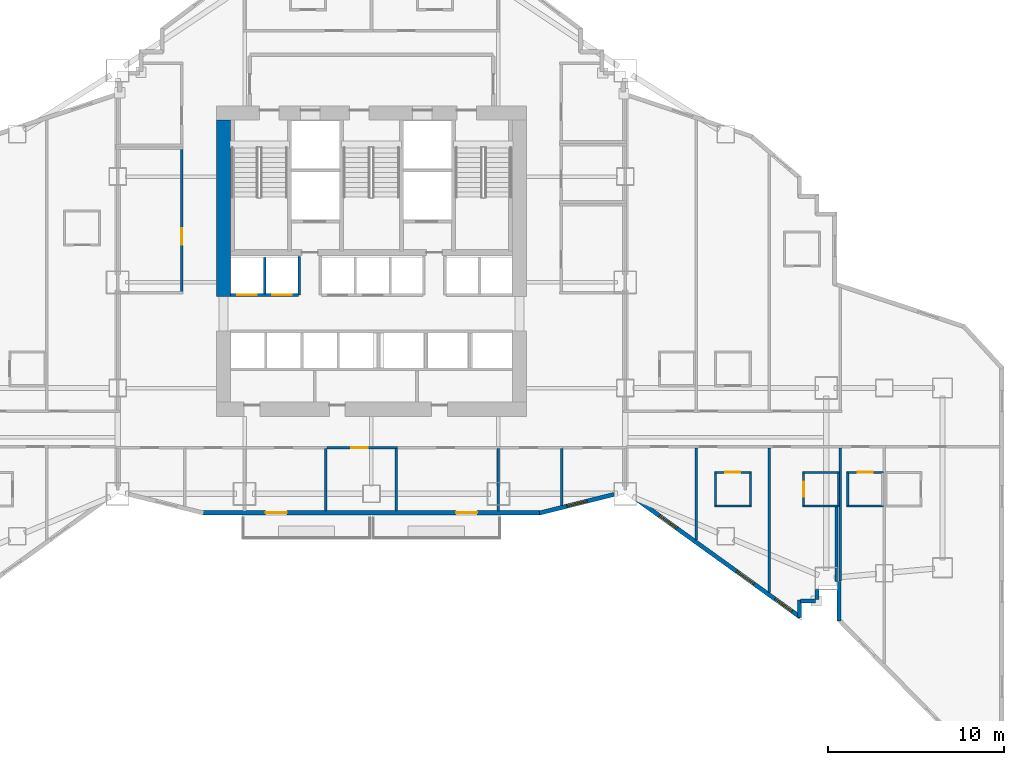
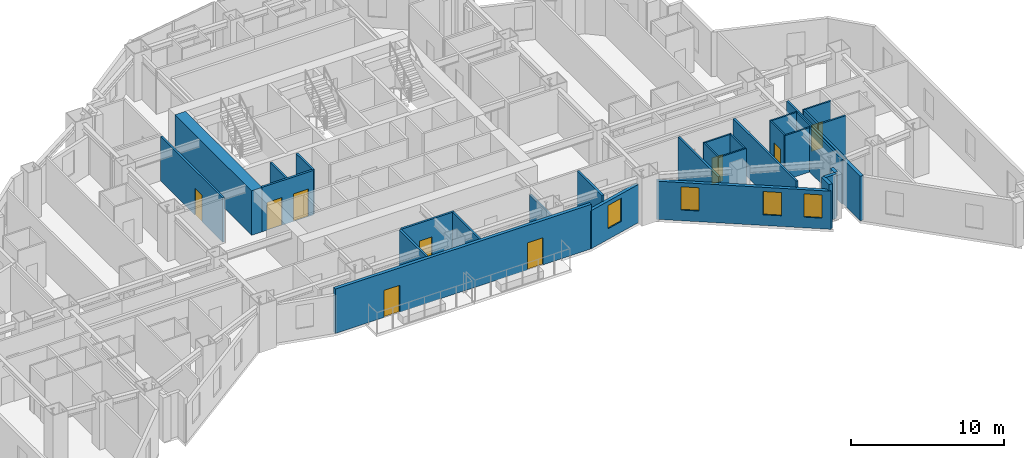
# One storey, part 9 of 19: 32 walls, 9 doors, 4 windows, 13 openings.
"""IFC4 building model written with IfcOpenShell, lengths in metres."""

from ifc_helpers import new_model, si_unit, direction, frame, frame_2d, origin, place, context, subcontext, project, spatial, rectangle, extrude, material, layer, layer_set, type_object, element, fill, save


model = new_model("IFC4")

# Units and contexts
model_context = context("Model", 3, precision=1e-05, world=origin(), true_north=direction((0.0, 1.0)))
body_context = subcontext(model_context, "Body", "Model", "MODEL_VIEW")
ifc_project = project(units=[si_unit("LENGTHUNIT", "METRE"), si_unit("AREAUNIT", "SQUARE_METRE"), si_unit("VOLUMEUNIT", "CUBIC_METRE"), si_unit("PLANEANGLEUNIT", "RADIAN"), si_unit("MASSUNIT", "GRAM", prefix="KILO")], contexts=[model_context])

# Site, building, storey
site_placement = place(None, origin())
site = spatial("IfcSite", under=ifc_project, at=site_placement, CompositionType="ELEMENT")
building_placement = place(site_placement, origin())
building = spatial("IfcBuilding", under=site, at=building_placement, Name="Haolan Belvedere Tower", CompositionType="ELEMENT")
storey_placement = place(building_placement, frame((0.0, 0.0, 39.199951171875)))
storey = spatial("IfcBuildingStorey", under=building, at=storey_placement, Name="L09", CompositionType="ELEMENT", Elevation=39.199951171875)

# Wall
ifc_material_1 = material(Name="Concrete C70/85", Category="concrete")
ifc_layer_1 = layer(ifc_material_1, 0.800048828125, Name="Concrete C70/85")
ifc_layer_set_1 = layer_set([ifc_layer_1], Name="Concrete C70/85")
wall_type_1 = type_object("IfcWallType", Name="WL-CORE-800", PredefinedType="SHEAR", material=ifc_layer_set_1)
wall_1_placement = place(storey_placement, frame((30.0, 32.800048828125, 0.0), z_axis=(0.0, 0.0, 1.0), x_axis=(0.0, 1.0, 0.0)))
element("IfcWall", 1, at=wall_1_placement, inside=storey, type_object=wall_type_1, Name="L09 central core shear wall WN", PredefinedType="SHEAR", context=body_context, shape_type="SweptSolid", body=[
    extrude(rectangle(XDim=10.0, YDim=0.800048828125, at=frame_2d((5.0, 0.0))), origin(), (0.0, 0.0, 1.0), 3.5400390625),
])

# Wall, openings, doors
ifc_material_2 = material(Name="Precast concrete C40/50", Category="concrete")
ifc_layer_2 = layer(ifc_material_2, 0.239990234375, Name="Precast concrete C40/50")
ifc_layer_set_2 = layer_set([ifc_layer_2], Name="Precast concrete C40/50")
wall_type_2 = type_object("IfcWallType", Name="WL-EXT-240", PredefinedType="SOLIDWALL", material=ifc_layer_set_2)
wall_2_placement = place(storey_placement, frame((28.759765625, 20.52001953125, 0.0), z_axis=(0.0, 0.0, 1.0), x_axis=(1.0, 0.0, 0.0)))
wall_2 = element("IfcWall", 2, at=wall_2_placement, inside=storey, type_object=wall_type_2, Name="L09 pale-metal exterior spandrel wall 13.1", PredefinedType="SOLIDWALL", context=body_context, shape_type="SweptSolid", body=[
    extrude(rectangle(XDim=19.280517578125, YDim=0.239990234375, at=frame_2d((9.64013671875, 0.0))), origin(), (0.0, 0.0, 1.0), 3.5400390625),
])
opening_1_placement = place(wall_2_placement, frame((4.840087890625, 0.0, 0.0), z_axis=(0.0, 0.0, 1.0), x_axis=(-1.0, 0.0, 0.0)))
opening_1 = element("IfcOpeningElement", 3, at=opening_1_placement, cuts=wall_2, Name="Opening BD-01", PredefinedType="OPENING", context=body_context, shape_type="SweptSolid", body=[
    extrude(rectangle(XDim=1.199951171875, YDim=2.14990234375, at=frame_2d((0.60009765625, 1.074951171875))), frame((0.0, 0.1298828125, 0.0), z_axis=(0.0, -1.0, 0.0), x_axis=(1.0, 0.0, 0.0)), (0.0, 0.0, 1.0), 0.260009765625),
])
opening_2_placement = place(wall_2_placement, frame((15.64013671875, 0.0, 0.0), z_axis=(0.0, 0.0, 1.0), x_axis=(-1.0, 0.0, 0.0)))
opening_2 = element("IfcOpeningElement", 4, at=opening_2_placement, cuts=wall_2, Name="Opening BD-01", PredefinedType="OPENING", context=body_context, shape_type="SweptSolid", body=[
    extrude(rectangle(XDim=1.199951171875, YDim=2.14990234375, at=frame_2d((0.60009765625, 1.074951171875))), frame((0.0, 0.1298828125, 0.0), z_axis=(0.0, -1.0, 0.0), x_axis=(1.0, 0.0, 0.0)), (0.0, 0.0, 1.0), 0.260009765625),
])
ifc_material_3 = material(Name="Thermally broken pale-metal aluminium and Low-E glass", Category="aluminium")
door_type_1 = type_object("IfcDoorType", Name="DR-BAL-1200", OperationType="NOTDEFINED", PredefinedType="DOOR", material=ifc_material_3)
door_1_placement = place(opening_1_placement, origin())
door_1 = element("IfcDoor", 5, at=door_1_placement, inside=storey, type_object=door_type_1, Name="L09 tree-balcony access door 1", OperationType="SINGLE_SWING_LEFT", OverallHeight=2.14990234375, OverallWidth=1.199951171875, PredefinedType="DOOR", context=body_context, shape_type="SweptSolid", body=[
    extrude(rectangle(XDim=1.199951171875, YDim=2.14990234375, at=frame_2d((0.60009765625, 1.074951171875))), frame((0.0, 0.02490234375, 0.0), z_axis=(0.0, -1.0, 0.0), x_axis=(1.0, 0.0, 0.0)), (0.0, 0.0, 1.0), 0.050048828125),
])
fill(opening_1, door_1)
door_2_placement = place(opening_2_placement, origin())
door_2 = element("IfcDoor", 6, at=door_2_placement, inside=storey, type_object=door_type_1, Name="L09 tree-balcony access door 2", OperationType="SINGLE_SWING_RIGHT", OverallHeight=2.14990234375, OverallWidth=1.199951171875, PredefinedType="DOOR", context=body_context, shape_type="SweptSolid", body=[
    extrude(rectangle(XDim=1.199951171875, YDim=2.14990234375, at=frame_2d((0.60009765625, 1.074951171875))), frame((0.0, 0.02490234375, 0.0), z_axis=(0.0, -1.0, 0.0), x_axis=(1.0, 0.0, 0.0)), (0.0, 0.0, 1.0), 0.050048828125),
])
fill(opening_2, door_2)

# Wall, opening, window
wall_3_placement = place(storey_placement, frame((47.931884765625, 20.506591796875, 0.0), z_axis=(0.0, 0.0, 1.0), x_axis=(0.970135906278, 0.242561998982, 0.0)))
wall_3 = element("IfcWall", 7, at=wall_3_placement, inside=storey, type_object=wall_type_2, Name="L09 pale-metal exterior spandrel wall 14.1", PredefinedType="SOLIDWALL", context=body_context, shape_type="SweptSolid", body=[
    extrude(rectangle(XDim=4.356201171875, YDim=0.239990234375, at=frame_2d((2.17822265625, 0.0))), origin(), (0.0, 0.0, 1.0), 3.037109375),
])
opening_3_placement = place(wall_3_placement, frame((1.60009765625, 0.0, 0.85009765625)))
opening_3 = element("IfcOpeningElement", 8, at=opening_3_placement, cuts=wall_3, Name="Opening W-01", PredefinedType="OPENING", context=body_context, shape_type="SweptSolid", body=[
    extrude(rectangle(XDim=1.199951171875, YDim=1.85009765625, at=frame_2d((0.60009765625, 0.925048828125))), frame((0.0, 0.1298828125, 0.0), z_axis=(0.0, -1.0, 0.0), x_axis=(1.0, 0.0, 0.0)), (0.0, 0.0, 1.0), 0.260009765625),
])
ifc_material_4 = material(Name="Anodised aluminium 6063-T6 and Low-E glass", Category="aluminium")
window_type = type_object("IfcWindowType", Name="WN-DECO-Z1", PartitioningType="SINGLE_PANEL", PredefinedType="WINDOW", material=ifc_material_4)
window_1_placement = place(opening_3_placement, origin())
window_1 = element("IfcWindow", 9, at=window_1_placement, inside=storey, type_object=window_type, Name="L09 Art Deco chevron window 1", OverallHeight=1.85009765625, OverallWidth=1.199951171875, PartitioningType="SINGLE_PANEL", PredefinedType="WINDOW", context=body_context, shape_type="SweptSolid", body=[
    extrude(rectangle(XDim=1.199951171875, YDim=1.85009765625, at=frame_2d((0.60009765625, 0.925048828125))), frame((0.0, 0.030029296875, 0.0), z_axis=(0.0, -1.0, 0.0), x_axis=(1.0, 0.0, 0.0)), (0.0, 0.0, 1.0), 0.06005859375),
])
fill(opening_3, window_1)

# Wall, openings, windows
wall_4_placement = place(storey_placement, frame((53.44189453125, 21.28564453125, 0.0), z_axis=(0.0, 0.0, 1.0), x_axis=(0.811542842993, -0.584292917967, 0.0)))
wall_4 = element("IfcWall", 10, at=wall_4_placement, inside=storey, type_object=wall_type_2, Name="L09 pale-metal exterior spandrel wall 15.1", PredefinedType="SOLIDWALL", context=body_context, shape_type="SweptSolid", body=[
    extrude(rectangle(XDim=11.4384765625, YDim=0.239990234375, at=frame_2d((5.71923828125, 0.0))), origin(), (0.0, 0.0, 1.0), 3.037109375),
])
opening_4_placement = place(wall_4_placement, frame((1.60009765625, 0.0, 0.85009765625)))
opening_4 = element("IfcOpeningElement", 11, at=opening_4_placement, cuts=wall_4, Name="Opening W-01", PredefinedType="OPENING", context=body_context, shape_type="SweptSolid", body=[
    extrude(rectangle(XDim=1.199951171875, YDim=1.85009765625, at=frame_2d((0.60009765625, 0.925048828125))), frame((0.0, 0.1298828125, 0.0), z_axis=(0.0, -1.0, 0.0), x_axis=(1.0, 0.0, 0.0)), (0.0, 0.0, 1.0), 0.260009765625),
])
opening_5_placement = place(wall_4_placement, frame((7.0, 0.0, 0.85009765625)))
opening_5 = element("IfcOpeningElement", 12, at=opening_5_placement, cuts=wall_4, Name="Opening W-01", PredefinedType="OPENING", context=body_context, shape_type="SweptSolid", body=[
    extrude(rectangle(XDim=1.199951171875, YDim=1.85009765625, at=frame_2d((0.60009765625, 0.925048828125))), frame((0.0, 0.1298828125, 0.0), z_axis=(0.0, -1.0, 0.0), x_axis=(1.0, 0.0, 0.0)), (0.0, 0.0, 1.0), 0.260009765625),
])
opening_6_placement = place(wall_4_placement, frame((9.66943359375, 0.0, 0.85009765625)))
opening_6 = element("IfcOpeningElement", 13, at=opening_6_placement, cuts=wall_4, Name="Opening W-01", PredefinedType="OPENING", context=body_context, shape_type="SweptSolid", body=[
    extrude(rectangle(XDim=1.199951171875, YDim=1.85009765625, at=frame_2d((0.60009765625, 0.925048828125))), frame((0.0, 0.1298828125, 0.0), z_axis=(0.0, -1.0, 0.0), x_axis=(1.0, 0.0, 0.0)), (0.0, 0.0, 1.0), 0.260009765625),
])
window_2_placement = place(opening_4_placement, origin())
window_2 = element("IfcWindow", 14, at=window_2_placement, inside=storey, type_object=window_type, Name="L09 Art Deco chevron window 1", OverallHeight=1.85009765625, OverallWidth=1.199951171875, PartitioningType="SINGLE_PANEL", PredefinedType="WINDOW", context=body_context, shape_type="SweptSolid", body=[
    extrude(rectangle(XDim=1.199951171875, YDim=1.85009765625, at=frame_2d((0.60009765625, 0.925048828125))), frame((0.0, 0.030029296875, 0.0), z_axis=(0.0, -1.0, 0.0), x_axis=(1.0, 0.0, 0.0)), (0.0, 0.0, 1.0), 0.06005859375),
])
fill(opening_4, window_2)
window_3_placement = place(opening_5_placement, origin())
window_3 = element("IfcWindow", 15, at=window_3_placement, inside=storey, type_object=window_type, Name="L09 Art Deco chevron window 2", OverallHeight=1.85009765625, OverallWidth=1.199951171875, PartitioningType="SINGLE_PANEL", PredefinedType="WINDOW", context=body_context, shape_type="SweptSolid", body=[
    extrude(rectangle(XDim=1.199951171875, YDim=1.85009765625, at=frame_2d((0.60009765625, 0.925048828125))), frame((0.0, 0.030029296875, 0.0), z_axis=(0.0, -1.0, 0.0), x_axis=(1.0, 0.0, 0.0)), (0.0, 0.0, 1.0), 0.06005859375),
])
fill(opening_5, window_3)
window_4_placement = place(opening_6_placement, origin())
window_4 = element("IfcWindow", 16, at=window_4_placement, inside=storey, type_object=window_type, Name="L09 Art Deco guestroom window 2", OverallHeight=1.85009765625, OverallWidth=1.199951171875, PartitioningType="SINGLE_PANEL", PredefinedType="WINDOW", context=body_context, shape_type="SweptSolid", body=[
    extrude(rectangle(XDim=1.199951171875, YDim=1.85009765625, at=frame_2d((0.60009765625, 0.925048828125))), frame((0.0, 0.030029296875, 0.0), z_axis=(0.0, -1.0, 0.0), x_axis=(1.0, 0.0, 0.0)), (0.0, 0.0, 1.0), 0.06005859375),
])
fill(opening_6, window_4)

# Walls
wall_5_placement = place(storey_placement, frame((62.679931640625, 14.579345703125, 0.0), z_axis=(0.0, 0.0, 1.0), x_axis=(0.0, 1.0, 0.0)))
element("IfcWall", 17, at=wall_5_placement, inside=storey, type_object=wall_type_2, Name="L09 pale-metal exterior spandrel wall 16.1", PredefinedType="SOLIDWALL", context=body_context, shape_type="SweptSolid", body=[
    extrude(rectangle(XDim=0.99560546875, YDim=0.239990234375, at=frame_2d((0.497802734375, 0.0))), origin(), (0.0, 0.0, 1.0), 3.5400390625),
])
wall_6_placement = place(storey_placement, frame((62.7451171875, 15.52001953125, 0.0), z_axis=(0.0, 0.0, 1.0), x_axis=(1.0, 0.0, 0.0)))
element("IfcWall", 18, at=wall_6_placement, inside=storey, type_object=wall_type_2, Name="L09 pale-metal exterior spandrel wall 17.1", PredefinedType="SOLIDWALL", context=body_context, shape_type="SweptSolid", body=[
    extrude(rectangle(XDim=0.849853515625, YDim=0.239990234375, at=frame_2d((0.4248046875, 0.0))), origin(), (0.0, 0.0, 1.0), 3.5400390625),
])
wall_7_placement = place(storey_placement, frame((63.679931640625, 15.60498046875, 0.0), z_axis=(0.0, 0.0, 1.0), x_axis=(0.0, 1.0, 0.0)))
element("IfcWall", 19, at=wall_7_placement, inside=storey, type_object=wall_type_2, Name="L09 pale-metal exterior spandrel wall 18.1", PredefinedType="SOLIDWALL", context=body_context, shape_type="SweptSolid", body=[
    extrude(rectangle(XDim=0.552978515625, YDim=0.239990234375, at=frame_2d((0.2763671875, 0.0))), origin(), (0.0, 0.0, 1.0), 3.5400390625),
])
wall_8_placement = place(storey_placement, frame((64.919921875, 16.639892578125, 0.0), z_axis=(0.0, 0.0, 1.0), x_axis=(0.0, -1.0, 0.0)))
element("IfcWall", 20, at=wall_8_placement, inside=storey, type_object=wall_type_2, Name="L09 pale-metal exterior spandrel wall 20.1", PredefinedType="SOLIDWALL", context=body_context, shape_type="SweptSolid", body=[
    extrude(rectangle(XDim=2.245849609375, YDim=0.239990234375, at=frame_2d((1.123046875, 0.0))), origin(), (0.0, 0.0, 1.0), 3.5400390625),
])

# Wall, opening, door
ifc_material_5 = material(Name="Double gypsum acoustic stud partition", Category="masonry")
ifc_layer_3 = layer(ifc_material_5, 0.14990234375, Name="Double gypsum acoustic stud partition")
ifc_layer_set_3 = layer_set([ifc_layer_3], Name="Double gypsum acoustic stud partition")
wall_type_3 = type_object("IfcWallType", Name="WL-PART-150", PredefinedType="PARTITIONING", material=ifc_layer_set_3)
wall_9_placement = place(storey_placement, frame((27.639892578125, 33.06005859375, 0.0), z_axis=(0.0, 0.0, 1.0), x_axis=(0.0, 1.0, 0.0)))
wall_9 = element("IfcWall", 21, at=wall_9_placement, inside=storey, type_object=wall_type_3, Name="L09 interior partition IW-L09-SAL-E", PredefinedType="PARTITIONING", context=body_context, shape_type="SweptSolid", body=[
    extrude(rectangle(XDim=8.079833984375, YDim=0.14990234375, at=frame_2d((4.0400390625, 0.0))), origin(), (0.0, 0.0, 1.0), 3.5400390625),
])
opening_7_placement = place(wall_9_placement, frame((3.60986328125, 0.0, 0.0), z_axis=(0.0, 0.0, 1.0), x_axis=(-1.0, 0.0, 0.0)))
opening_7 = element("IfcOpeningElement", 22, at=opening_7_placement, cuts=wall_9, Name="Opening ID-03", PredefinedType="OPENING", context=body_context, shape_type="SweptSolid", body=[
    extrude(rectangle(XDim=0.949951171875, YDim=2.1201171875, at=frame_2d((0.47509765625, 1.06005859375))), frame((0.0, 0.0849609375, 0.0), z_axis=(0.0, -1.0, 0.0), x_axis=(1.0, 0.0, 0.0)), (0.0, 0.0, 1.0), 0.169921875),
])
ifc_material_6 = material(Name="Painted solid-core timber", Category="wood")
door_type_2 = type_object("IfcDoorType", Name="DR-INT-950", OperationType="NOTDEFINED", PredefinedType="DOOR", material=ifc_material_6)
door_3_placement = place(opening_7_placement, origin())
door_3 = element("IfcDoor", 23, at=door_3_placement, inside=storey, type_object=door_type_2, Name="L09 door ID-L09-SAL", OperationType="SINGLE_SWING_LEFT", OverallHeight=2.1201171875, OverallWidth=0.949951171875, PredefinedType="DOOR", context=body_context, shape_type="SweptSolid", body=[
    extrude(rectangle(XDim=0.949951171875, YDim=2.1201171875, at=frame_2d((0.47509765625, 1.06005859375))), frame((0.0, 0.02490234375, 0.0), z_axis=(0.0, -1.0, 0.0), x_axis=(1.0, 0.0, 0.0)), (0.0, 0.0, 1.0), 0.050048828125),
])
fill(opening_7, door_3)

# Wall
wall_10_placement = place(storey_placement, frame((35.800048828125, 20.625, 0.0), z_axis=(0.0, 0.0, 1.0), x_axis=(0.0, 1.0, 0.0)))
element("IfcWall", 24, at=wall_10_placement, inside=storey, type_object=wall_type_3, Name="L09 interior partition IW-L09-KS3-E", PredefinedType="PARTITIONING", context=body_context, shape_type="SweptSolid", body=[
    extrude(rectangle(XDim=3.534912109375, YDim=0.14990234375, at=frame_2d((1.767578125, 0.0))), origin(), (0.0, 0.0, 1.0), 3.5400390625),
])

# Wall, opening, door
wall_11_placement = place(storey_placement, frame((35.882080078125, 24.219970703125, 0.0), z_axis=(0.0, 0.0, 1.0), x_axis=(1.0, 0.0, 0.0)))
wall_11 = element("IfcWall", 25, at=wall_11_placement, inside=storey, type_object=wall_type_3, Name="L09 interior partition IW-L09-KS4-N", PredefinedType="PARTITIONING", context=body_context, shape_type="SweptSolid", body=[
    extrude(rectangle(XDim=3.997802734375, YDim=0.14990234375, at=frame_2d((1.9990234375, 0.0))), origin(), (0.0, 0.0, 1.0), 3.5400390625),
])
opening_8_placement = place(wall_11_placement, frame((2.31298828125, 0.0, 0.0), z_axis=(0.0, 0.0, 1.0), x_axis=(-1.0, 0.0, 0.0)))
opening_8 = element("IfcOpeningElement", 26, at=opening_8_placement, cuts=wall_11, Name="Opening ID-03", PredefinedType="OPENING", context=body_context, shape_type="SweptSolid", body=[
    extrude(rectangle(XDim=0.949951171875, YDim=2.1201171875, at=frame_2d((0.47509765625, 1.06005859375))), frame((0.0, 0.0849609375, 0.0), z_axis=(0.0, -1.0, 0.0), x_axis=(1.0, 0.0, 0.0)), (0.0, 0.0, 1.0), 0.169921875),
])
door_4_placement = place(opening_8_placement, origin())
door_4 = element("IfcDoor", 27, at=door_4_placement, inside=storey, type_object=door_type_2, Name="L09 door ID-L09-KS4", OperationType="SINGLE_SWING_RIGHT", OverallHeight=2.1201171875, OverallWidth=0.949951171875, PredefinedType="DOOR", context=body_context, shape_type="SweptSolid", body=[
    extrude(rectangle(XDim=0.949951171875, YDim=2.1201171875, at=frame_2d((0.47509765625, 1.06005859375))), frame((0.0, 0.02490234375, 0.0), z_axis=(0.0, -1.0, 0.0), x_axis=(1.0, 0.0, 0.0)), (0.0, 0.0, 1.0), 0.050048828125),
])
fill(opening_8, door_4)

# Walls
wall_12_placement = place(storey_placement, frame((39.800048828125, 20.625, 0.0), z_axis=(0.0, 0.0, 1.0), x_axis=(0.0, 1.0, 0.0)))
element("IfcWall", 28, at=wall_12_placement, inside=storey, type_object=wall_type_3, Name="L09 interior partition IW-L09-KS4-E", PredefinedType="PARTITIONING", context=body_context, shape_type="SweptSolid", body=[
    extrude(rectangle(XDim=3.534912109375, YDim=0.14990234375, at=frame_2d((1.767578125, 0.0))), origin(), (0.0, 0.0, 1.0), 3.5400390625),
])
wall_13_placement = place(storey_placement, frame((45.60009765625, 20.625, 0.0), z_axis=(0.0, 0.0, 1.0), x_axis=(0.0, 1.0, 0.0)))
element("IfcWall", 29, at=wall_13_placement, inside=storey, type_object=wall_type_3, Name="L09 interior partition IW-L09-KS5-E", PredefinedType="PARTITIONING", context=body_context, shape_type="SweptSolid", body=[
    extrude(rectangle(XDim=3.534912109375, YDim=0.14990234375, at=frame_2d((1.767578125, 0.0))), origin(), (0.0, 0.0, 1.0), 2.925048828125),
])
wall_14_placement = place(storey_placement, frame((49.199951171875, 20.931884765625, 0.0), z_axis=(0.0, 0.0, 1.0), x_axis=(0.0, 1.0, 0.0)))
element("IfcWall", 30, at=wall_14_placement, inside=storey, type_object=wall_type_3, Name="L09 interior partition IW-L09-KS6-E", PredefinedType="PARTITIONING", context=body_context, shape_type="SweptSolid", body=[
    extrude(rectangle(XDim=3.22802734375, YDim=0.14990234375, at=frame_2d((1.614013671875, 0.0))), origin(), (0.0, 0.0, 1.0), 3.5400390625),
])
wall_15_placement = place(storey_placement, frame((56.830078125, 18.9755859375, 0.0), z_axis=(0.0, 0.0, 1.0), x_axis=(0.0, 1.0, 0.0)))
element("IfcWall", 31, at=wall_15_placement, inside=storey, type_object=wall_type_3, Name="L09 interior partition IW-L09-T4S1-E", PredefinedType="PARTITIONING", context=body_context, shape_type="SweptSolid", body=[
    extrude(rectangle(XDim=5.234375, YDim=0.14990234375, at=frame_2d((2.6171875, 0.0))), origin(), (0.0, 0.0, 1.0), 3.5400390625),
])
wall_16_placement = place(storey_placement, frame((60.969970703125, 15.994873046875, 0.0), z_axis=(0.0, 0.0, 1.0), x_axis=(0.0, 1.0, 0.0)))
element("IfcWall", 32, at=wall_16_placement, inside=storey, type_object=wall_type_3, Name="L09 interior partition IW-L09-T4S2-E", PredefinedType="PARTITIONING", context=body_context, shape_type="SweptSolid", body=[
    extrude(rectangle(XDim=8.215087890625, YDim=0.14990234375, at=frame_2d((4.107421875, 0.0))), origin(), (0.0, 0.0, 1.0), 3.5400390625),
])
wall_17_placement = place(storey_placement, frame((65.0, 16.64208984375, 0.0), z_axis=(0.0, 0.0, 1.0), x_axis=(0.0, 1.0, 0.0)))
element("IfcWall", 33, at=wall_17_placement, inside=storey, type_object=wall_type_3, Name="L09 interior partition IW-L09-T4S3-E", PredefinedType="PARTITIONING", context=body_context, shape_type="SweptSolid", body=[
    extrude(rectangle(XDim=7.56787109375, YDim=0.14990234375, at=frame_2d((3.783935546875, 0.0))), origin(), (0.0, 0.0, 1.0), 3.5400390625),
])
wall_18_placement = place(storey_placement, frame((64.780029296875, 16.612060546875, 0.0), z_axis=(0.0, 0.0, 1.0), x_axis=(0.0, 1.0, 0.0)))
element("IfcWall", 34, at=wall_18_placement, inside=storey, type_object=wall_type_3, Name="L09 interior partition IW-L09-T5S1-W", PredefinedType="PARTITIONING", context=body_context, shape_type="SweptSolid", body=[
    extrude(rectangle(XDim=4.242919921875, YDim=0.14990234375, at=frame_2d((2.12158203125, 0.0))), origin(), (0.0, 0.0, 1.0), 3.5400390625),
])
ifc_material_7 = material(Name="Gypsum fire shaftwall assembly", Category="masonry")
ifc_layer_4 = layer(ifc_material_7, 0.1650390625, Name="Gypsum fire shaftwall assembly")
ifc_layer_set_4 = layer_set([ifc_layer_4], Name="Gypsum fire shaftwall assembly")
wall_type_4 = type_object("IfcWallType", Name="WL-SHAFT-160", PredefinedType="SOLIDWALL", material=ifc_layer_set_4)
wall_19_placement = place(storey_placement, frame((34.31005859375, 32.8798828125, 0.0), z_axis=(0.0, 0.0, 1.0), x_axis=(0.0, 1.0, 0.0)))
element("IfcWall", 35, at=wall_19_placement, inside=storey, type_object=wall_type_4, Name="L09 interior partition IW-L09-SVP-W-SV1", PredefinedType="SOLIDWALL", context=body_context, shape_type="SweptSolid", body=[
    extrude(rectangle(XDim=2.170166015625, YDim=0.14990234375, at=frame_2d((1.0849609375, 0.0))), origin(), (0.0, 0.0, 1.0), 3.5400390625),
])

# Wall, openings, doors
wall_20_placement = place(storey_placement, frame((30.39990234375, 32.8798828125, 0.0), z_axis=(0.0, 0.0, 1.0), x_axis=(1.0, 0.0, 0.0)))
wall_20 = element("IfcWall", 36, at=wall_20_placement, inside=storey, type_object=wall_type_4, Name="L09 interior partition IW-L09-ROW-PN1", PredefinedType="SOLIDWALL", context=body_context, shape_type="SweptSolid", body=[
    extrude(rectangle(XDim=3.85009765625, YDim=0.159912109375, at=frame_2d((1.925048828125, 0.0))), origin(), (0.0, 0.0, 1.0), 3.5400390625),
])
opening_9_placement = place(wall_20_placement, frame((1.47998046875, 0.0, 0.0), z_axis=(0.0, 0.0, 1.0), x_axis=(-1.0, 0.0, 0.0)))
opening_9 = element("IfcOpeningElement", 37, at=opening_9_placement, cuts=wall_20, Name="Opening LD-01", PredefinedType="OPENING", context=body_context, shape_type="SweptSolid", body=[
    extrude(rectangle(XDim=1.10009765625, YDim=2.199951171875, at=frame_2d((0.550048828125, 1.10009765625))), frame((0.0, 0.08984375, 0.0), z_axis=(0.0, -1.0, 0.0), x_axis=(1.0, 0.0, 0.0)), (0.0, 0.0, 1.0), 0.179931640625),
])
opening_10_placement = place(wall_20_placement, frame((3.47021484375, 0.0, 0.0), z_axis=(0.0, 0.0, 1.0), x_axis=(-1.0, 0.0, 0.0)))
opening_10 = element("IfcOpeningElement", 38, at=opening_10_placement, cuts=wall_20, Name="Opening LD-01", PredefinedType="OPENING", context=body_context, shape_type="SweptSolid", body=[
    extrude(rectangle(XDim=1.10009765625, YDim=2.199951171875, at=frame_2d((0.550048828125, 1.10009765625))), frame((0.0, 0.08984375, 0.0), z_axis=(0.0, -1.0, 0.0), x_axis=(1.0, 0.0, 0.0)), (0.0, 0.0, 1.0), 0.179931640625),
])
ifc_material_8 = material(Name="Brushed champagne stainless steel 316L", Category="steel")
door_type_3 = type_object("IfcDoorType", Name="DR-LIFT-1100", OperationType="SLIDING_TO_LEFT", PredefinedType="DOOR", material=ifc_material_8)
door_5_placement = place(opening_9_placement, origin())
door_5 = element("IfcDoor", 39, at=door_5_placement, inside=storey, type_object=door_type_3, Name="L09 door ID-L09-LD-PL1", OperationType="SLIDING_TO_LEFT", OverallHeight=2.199951171875, OverallWidth=1.10009765625, PredefinedType="DOOR", context=body_context, shape_type="SweptSolid", body=[
    extrude(rectangle(XDim=1.10009765625, YDim=2.199951171875, at=frame_2d((0.550048828125, 1.10009765625))), frame((0.0, 0.02490234375, 0.0), z_axis=(0.0, -1.0, 0.0), x_axis=(1.0, 0.0, 0.0)), (0.0, 0.0, 1.0), 0.050048828125),
])
fill(opening_9, door_5)
door_6_placement = place(opening_10_placement, origin())
door_6 = element("IfcDoor", 40, at=door_6_placement, inside=storey, type_object=door_type_3, Name="L09 door ID-L09-LD-PL2", OperationType="SLIDING_TO_LEFT", OverallHeight=2.199951171875, OverallWidth=1.10009765625, PredefinedType="DOOR", context=body_context, shape_type="SweptSolid", body=[
    extrude(rectangle(XDim=1.10009765625, YDim=2.199951171875, at=frame_2d((0.550048828125, 1.10009765625))), frame((0.0, 0.02490234375, 0.0), z_axis=(0.0, -1.0, 0.0), x_axis=(1.0, 0.0, 0.0)), (0.0, 0.0, 1.0), 0.050048828125),
])
fill(opening_10, door_6)

# Wall
wall_21_placement = place(storey_placement, frame((32.340087890625, 32.949951171875, 0.0), z_axis=(0.0, 0.0, 1.0), x_axis=(0.0, 1.0, 0.0)))
element("IfcWall", 41, at=wall_21_placement, inside=storey, type_object=wall_type_4, Name="L09 interior partition IW-L09-DIV-PL1", PredefinedType="SOLIDWALL", context=body_context, shape_type="SweptSolid", body=[
    extrude(rectangle(XDim=2.050048828125, YDim=0.14990234375, at=frame_2d((1.02490234375, 0.0))), origin(), (0.0, 0.0, 1.0), 3.5400390625),
])

# Wall, opening, door
ifc_material_9 = material(Name="Moisture-resistant gypsum tile partition", Category="masonry")
ifc_layer_5 = layer(ifc_material_9, 0.1201171875, Name="Moisture-resistant gypsum tile partition")
ifc_layer_set_5 = layer_set([ifc_layer_5], Name="Moisture-resistant gypsum tile partition")
wall_type_5 = type_object("IfcWallType", Name="WL-WET-120", PredefinedType="PARTITIONING", material=ifc_layer_set_5)
wall_22_placement = place(storey_placement, frame((57.85595703125, 22.820068359375, 0.0), z_axis=(0.0, 0.0, 1.0), x_axis=(1.0, 0.0, 0.0)))
wall_22 = element("IfcWall", 42, at=wall_22_placement, inside=storey, type_object=wall_type_5, Name="L09 interior partition IW-L09-T4S2-BN", PredefinedType="PARTITIONING", context=body_context, shape_type="SweptSolid", body=[
    extrude(rectangle(XDim=2.10009765625, YDim=0.1201171875, at=frame_2d((1.050048828125, 0.0))), origin(), (0.0, 0.0, 1.0), 3.5400390625),
])
opening_11_placement = place(wall_22_placement, frame((1.47509765625, 0.0, 0.0), z_axis=(0.0, 0.0, 1.0), x_axis=(-1.0, 0.0, 0.0)))
opening_11 = element("IfcOpeningElement", 43, at=opening_11_placement, cuts=wall_22, Name="Opening ID-05", PredefinedType="OPENING", context=body_context, shape_type="SweptSolid", body=[
    extrude(rectangle(XDim=0.85009765625, YDim=2.10009765625, at=frame_2d((0.425048828125, 1.050048828125))), frame((0.0, 0.070068359375, 0.0), z_axis=(0.0, -1.0, 0.0), x_axis=(1.0, 0.0, 0.0)), (0.0, 0.0, 1.0), 0.14013671875),
])
ifc_material_10 = material(Name="Moisture-resistant lacquered timber", Category="wood")
door_type_4 = type_object("IfcDoorType", Name="DR-BATH-850", OperationType="NOTDEFINED", PredefinedType="DOOR", material=ifc_material_10)
door_7_placement = place(opening_11_placement, origin())
door_7 = element("IfcDoor", 44, at=door_7_placement, inside=storey, type_object=door_type_4, Name="L09 door ID-L09-T4S2-BATH", OperationType="SINGLE_SWING_LEFT", OverallHeight=2.10009765625, OverallWidth=0.85009765625, PredefinedType="DOOR", context=body_context, shape_type="SweptSolid", body=[
    extrude(rectangle(XDim=0.85009765625, YDim=2.10009765625, at=frame_2d((0.425048828125, 1.050048828125))), frame((0.0, 0.02490234375, 0.0), z_axis=(0.0, -1.0, 0.0), x_axis=(1.0, 0.0, 0.0)), (0.0, 0.0, 1.0), 0.050048828125),
])
fill(opening_11, door_7)

# Walls
wall_23_placement = place(storey_placement, frame((57.85595703125, 20.89990234375, 0.0), z_axis=(0.0, 0.0, 1.0), x_axis=(1.0, 0.0, 0.0)))
element("IfcWall", 45, at=wall_23_placement, inside=storey, type_object=wall_type_5, Name="L09 interior partition IW-L09-T4S2-BS", PredefinedType="PARTITIONING", context=body_context, shape_type="SweptSolid", body=[
    extrude(rectangle(XDim=2.10009765625, YDim=0.1201171875, at=frame_2d((1.050048828125, 0.0))), origin(), (0.0, 0.0, 1.0), 3.5400390625),
])
for number, where, z_axis, x_axis, name in (
    (46, (57.916015625, 20.945068359375, 0.0), (0.0, 0.0, 1.0), (0.0, 1.0, 0.0), "L09 interior partition IW-L09-T4S2-BW"),
    (47, (59.89599609375, 20.945068359375, 0.0), (0.0, 0.0, 1.0), (0.0, 1.0, 0.0), "L09 interior partition IW-L09-T4S2-BE"),
):
    element("IfcWall", number, at=place(storey_placement, frame(where, z_axis=z_axis, x_axis=x_axis)), inside=storey, type_object=wall_type_5, Name=name, PredefinedType="PARTITIONING", context=body_context, shape_type="SweptSolid", body=[
        extrude(rectangle(XDim=1.829833984375, YDim=0.1201171875, at=frame_2d((0.9150390625, 0.0))), origin(), (0.0, 0.0, 1.0), 3.5400390625),
    ])
for number, where, z_axis, x_axis, name in (
    (48, (62.860107421875, 22.820068359375, 0.0), (0.0, 0.0, 1.0), (1.0, 0.0, 0.0), "L09 interior partition IW-L09-T4S3-BN"),
    (49, (62.860107421875, 20.89990234375, 0.0), (0.0, 0.0, 1.0), (1.0, 0.0, 0.0), "L09 interior partition IW-L09-T4S3-BS"),
):
    element("IfcWall", number, at=place(storey_placement, frame(where, z_axis=z_axis, x_axis=x_axis)), inside=storey, type_object=wall_type_5, Name=name, PredefinedType="PARTITIONING", context=body_context, shape_type="SweptSolid", body=[
        extrude(rectangle(XDim=2.079833984375, YDim=0.1201171875, at=frame_2d((1.0400390625, 0.0))), origin(), (0.0, 0.0, 1.0), 3.5400390625),
    ])

# Wall, opening, door
wall_24_placement = place(storey_placement, frame((62.919921875, 20.945068359375, 0.0), z_axis=(0.0, 0.0, 1.0), x_axis=(0.0, 1.0, 0.0)))
wall_24 = element("IfcWall", 50, at=wall_24_placement, inside=storey, type_object=wall_type_5, Name="L09 interior partition IW-L09-T4S3-BW", PredefinedType="PARTITIONING", context=body_context, shape_type="SweptSolid", body=[
    extrude(rectangle(XDim=1.829833984375, YDim=0.1201171875, at=frame_2d((0.9150390625, 0.0))), origin(), (0.0, 0.0, 1.0), 3.5400390625),
])
opening_12_placement = place(wall_24_placement, frame((1.340087890625, 0.0, 0.0), z_axis=(0.0, 0.0, 1.0), x_axis=(-1.0, 0.0, 0.0)))
opening_12 = element("IfcOpeningElement", 51, at=opening_12_placement, cuts=wall_24, Name="Opening ID-05", PredefinedType="OPENING", context=body_context, shape_type="SweptSolid", body=[
    extrude(rectangle(XDim=0.85009765625, YDim=2.10009765625, at=frame_2d((0.425048828125, 1.050048828125))), frame((0.0, 0.070068359375, 0.0), z_axis=(0.0, -1.0, 0.0), x_axis=(1.0, 0.0, 0.0)), (0.0, 0.0, 1.0), 0.14013671875),
])
door_8_placement = place(opening_12_placement, origin())
door_8 = element("IfcDoor", 52, at=door_8_placement, inside=storey, type_object=door_type_4, Name="L09 door ID-L09-T4S3-BATH", OperationType="SINGLE_SWING_RIGHT", OverallHeight=2.10009765625, OverallWidth=0.85009765625, PredefinedType="DOOR", context=body_context, shape_type="SweptSolid", body=[
    extrude(rectangle(XDim=0.85009765625, YDim=2.10009765625, at=frame_2d((0.425048828125, 1.050048828125))), frame((0.0, 0.02490234375, 0.0), z_axis=(0.0, -1.0, 0.0), x_axis=(1.0, 0.0, 0.0)), (0.0, 0.0, 1.0), 0.050048828125),
])
fill(opening_12, door_8)

# Wall
wall_25_placement = place(storey_placement, frame((64.89990234375, 20.945068359375, 0.0), z_axis=(0.0, 0.0, 1.0), x_axis=(0.0, 1.0, 0.0)))
element("IfcWall", 53, at=wall_25_placement, inside=storey, type_object=wall_type_5, Name="L09 interior partition IW-L09-T4S3-BE", PredefinedType="PARTITIONING", context=body_context, shape_type="SweptSolid", body=[
    extrude(rectangle(XDim=1.829833984375, YDim=0.1201171875, at=frame_2d((0.9150390625, 0.0))), origin(), (0.0, 0.0, 1.0), 3.5400390625),
])

# Wall, opening, door
wall_26_placement = place(storey_placement, frame((65.360107421875, 22.820068359375, 0.0), z_axis=(0.0, 0.0, 1.0), x_axis=(1.0, 0.0, 0.0)))
wall_26 = element("IfcWall", 54, at=wall_26_placement, inside=storey, type_object=wall_type_5, Name="L09 interior partition IW-L09-T5S1-BN", PredefinedType="PARTITIONING", context=body_context, shape_type="SweptSolid", body=[
    extrude(rectangle(XDim=2.079833984375, YDim=0.1201171875, at=frame_2d((1.0400390625, 0.0))), origin(), (0.0, 0.0, 1.0), 3.5400390625),
])
opening_13_placement = place(wall_26_placement, frame((1.47509765625, 0.0, 0.0), z_axis=(0.0, 0.0, 1.0), x_axis=(-1.0, 0.0, 0.0)))
opening_13 = element("IfcOpeningElement", 55, at=opening_13_placement, cuts=wall_26, Name="Opening ID-05", PredefinedType="OPENING", context=body_context, shape_type="SweptSolid", body=[
    extrude(rectangle(XDim=0.85009765625, YDim=2.10009765625, at=frame_2d((0.425048828125, 1.050048828125))), frame((0.0, 0.070068359375, 0.0), z_axis=(0.0, -1.0, 0.0), x_axis=(1.0, 0.0, 0.0)), (0.0, 0.0, 1.0), 0.14013671875),
])
door_9_placement = place(opening_13_placement, origin())
door_9 = element("IfcDoor", 56, at=door_9_placement, inside=storey, type_object=door_type_4, Name="L09 door ID-L09-T5S1-BATH", OperationType="SINGLE_SWING_RIGHT", OverallHeight=2.10009765625, OverallWidth=0.85009765625, PredefinedType="DOOR", context=body_context, shape_type="SweptSolid", body=[
    extrude(rectangle(XDim=0.85009765625, YDim=2.10009765625, at=frame_2d((0.425048828125, 1.050048828125))), frame((0.0, 0.02490234375, 0.0), z_axis=(0.0, -1.0, 0.0), x_axis=(1.0, 0.0, 0.0)), (0.0, 0.0, 1.0), 0.050048828125),
])
fill(opening_13, door_9)

# Walls
wall_27_placement = place(storey_placement, frame((65.360107421875, 20.89990234375, 0.0), z_axis=(0.0, 0.0, 1.0), x_axis=(1.0, 0.0, 0.0)))
element("IfcWall", 57, at=wall_27_placement, inside=storey, type_object=wall_type_5, Name="L09 interior partition IW-L09-T5S1-BS", PredefinedType="PARTITIONING", context=body_context, shape_type="SweptSolid", body=[
    extrude(rectangle(XDim=2.079833984375, YDim=0.1201171875, at=frame_2d((1.0400390625, 0.0))), origin(), (0.0, 0.0, 1.0), 3.5400390625),
])
wall_28_placement = place(storey_placement, frame((65.419921875, 20.945068359375, 0.0), z_axis=(0.0, 0.0, 1.0), x_axis=(0.0, 1.0, 0.0)))
element("IfcWall", 58, at=wall_28_placement, inside=storey, type_object=wall_type_5, Name="L09 interior partition IW-L09-T5S1-BW", PredefinedType="PARTITIONING", context=body_context, shape_type="SweptSolid", body=[
    extrude(rectangle(XDim=1.829833984375, YDim=0.1201171875, at=frame_2d((0.9150390625, 0.0))), origin(), (0.0, 0.0, 1.0), 3.5400390625),
])

save(model, "model.ifc")
